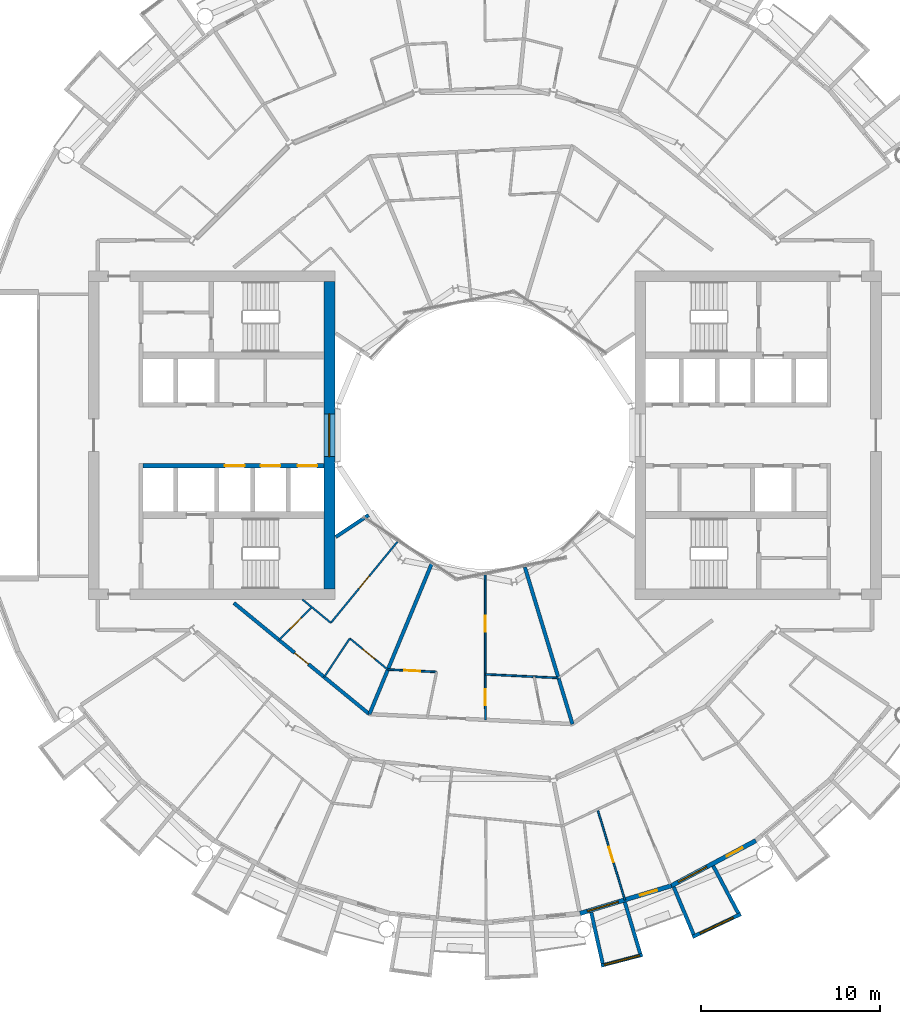
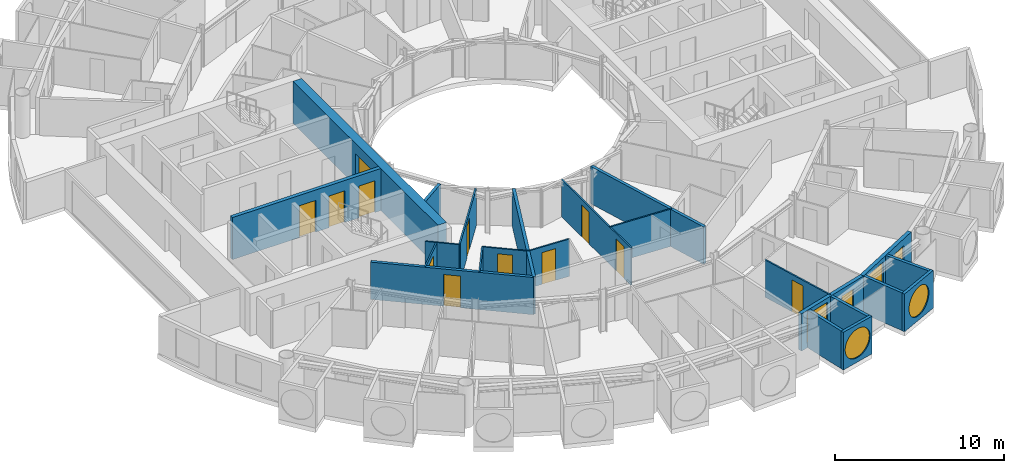
# One storey, part 16 of 27: 23 walls, 13 doors, 5 windows, 18 openings.
"""IFC4 building model written with IfcOpenShell, lengths in metres."""

from ifc_helpers import new_model, si_unit, direction, frame, frame_2d, origin, place, context, subcontext, project, spatial, rectangle, circle, extrude, material, layer, layer_set, type_object, element, fill, save


model = new_model("IFC4")

# Units and contexts
model_context = context("Model", 3, precision=1e-05, world=origin(), true_north=direction((0.0, 1.0)))
body_context = subcontext(model_context, "Body", "Model", "MODEL_VIEW")
ifc_project = project(units=[si_unit("LENGTHUNIT", "METRE"), si_unit("AREAUNIT", "SQUARE_METRE"), si_unit("VOLUMEUNIT", "CUBIC_METRE"), si_unit("PLANEANGLEUNIT", "RADIAN"), si_unit("MASSUNIT", "GRAM", prefix="KILO")], contexts=[model_context])

# Site, building, storey
site_placement = place(None, origin())
site = spatial("IfcSite", under=ifc_project, at=site_placement, CompositionType="ELEMENT")
building_placement = place(site_placement, origin())
building = spatial("IfcBuilding", under=site, at=building_placement, Name="Maasbend Ring Residences", CompositionType="ELEMENT")
storey_placement = place(building_placement, frame((0.0, 0.0, 114.699951171875)))
storey = spatial("IfcBuildingStorey", under=building, at=storey_placement, Name="L32", CompositionType="ELEMENT", Elevation=114.699951171875)

# Wall, openings, doors
ifc_material_1 = material(Name="Concrete C60/75", Category="concrete")
ifc_layer_1 = layer(ifc_material_1, 0.25)
ifc_layer_set_1 = layer_set([ifc_layer_1], Name="Concrete C60/75")
wall_type_1 = type_object("IfcWallType", Name="CORE WALL 250 C60/75", PredefinedType="SHEAR", material=ifc_layer_set_1)
wall_1_placement = place(storey_placement, frame((-9.0, -1.699951171875, 0.0), z_axis=(0.0, 0.0, 1.0), x_axis=(-1.0, 0.0, 0.0)))
wall_1 = element("IfcWall", 1, at=wall_1_placement, inside=storey, type_object=wall_type_1, Name="L32 core W wall SPN", PredefinedType="SHEAR", context=body_context, shape_type="SweptSolid", body=[
    extrude(rectangle(XDim=10.14990234375, YDim=0.25, at=frame_2d((5.074951171875, 0.0))), origin(), (0.0, 0.0, 1.0), 3.050048828125),
])
opening_1_placement = place(wall_1_placement, frame((0.387451171875, 0.0, 0.0)))
opening_1 = element("IfcOpeningElement", 2, at=opening_1_placement, cuts=wall_1, Name="Opening LD-W3201", PredefinedType="OPENING", context=body_context, shape_type="SweptSolid", body=[
    extrude(rectangle(XDim=1.10009765625, YDim=2.300048828125, at=frame_2d((0.550048828125, 1.14990234375))), frame((0.0, 0.135009765625, 0.0), z_axis=(0.0, -1.0, 0.0), x_axis=(1.0, 0.0, 0.0)), (0.0, 0.0, 1.0), 0.27001953125),
])
opening_2_placement = place(wall_1_placement, frame((2.449951171875, 0.0, 0.0)))
opening_2 = element("IfcOpeningElement", 3, at=opening_2_placement, cuts=wall_1, Name="Opening LD-W3202", PredefinedType="OPENING", context=body_context, shape_type="SweptSolid", body=[
    extrude(rectangle(XDim=1.10009765625, YDim=2.300048828125, at=frame_2d((0.550048828125, 1.14990234375))), frame((0.0, 0.135009765625, 0.0), z_axis=(0.0, -1.0, 0.0), x_axis=(1.0, 0.0, 0.0)), (0.0, 0.0, 1.0), 0.27001953125),
])
opening_3_placement = place(wall_1_placement, frame((4.449951171875, 0.0, 0.0)))
opening_3 = element("IfcOpeningElement", 4, at=opening_3_placement, cuts=wall_1, Name="Opening LD-W3203", PredefinedType="OPENING", context=body_context, shape_type="SweptSolid", body=[
    extrude(rectangle(XDim=1.10009765625, YDim=2.300048828125, at=frame_2d((0.550048828125, 1.14990234375))), frame((0.0, 0.135009765625, 0.0), z_axis=(0.0, -1.0, 0.0), x_axis=(1.0, 0.0, 0.0)), (0.0, 0.0, 1.0), 0.27001953125),
])
ifc_material_2 = material(Name="Stainless steel 316", Category="steel")
door_type_1 = type_object("IfcDoorType", Name="LANDING DOOR 1100 X 2300 FD60", OperationType="DOUBLE_DOOR_SLIDING", PredefinedType="DOOR", material=ifc_material_2)
door_1_placement = place(opening_1_placement, origin())
door_1 = element("IfcDoor", 5, at=door_1_placement, inside=storey, type_object=door_type_1, Name="Landing door LR-W1 L32", OperationType="DOUBLE_DOOR_SLIDING", OverallHeight=2.300048828125, OverallWidth=1.10009765625, PredefinedType="DOOR", context=body_context, shape_type="SweptSolid", body=[
    extrude(rectangle(XDim=1.10009765625, YDim=2.300048828125, at=frame_2d((0.550048828125, 1.14990234375))), frame((0.0, 0.02490234375, 0.0), z_axis=(0.0, -1.0, 0.0), x_axis=(1.0, 0.0, 0.0)), (0.0, 0.0, 1.0), 0.050048828125),
])
fill(opening_1, door_1)
door_2_placement = place(opening_2_placement, origin())
door_2 = element("IfcDoor", 6, at=door_2_placement, inside=storey, type_object=door_type_1, Name="Landing door LR-W2 L32", OperationType="DOUBLE_DOOR_SLIDING", OverallHeight=2.300048828125, OverallWidth=1.10009765625, PredefinedType="DOOR", context=body_context, shape_type="SweptSolid", body=[
    extrude(rectangle(XDim=1.10009765625, YDim=2.300048828125, at=frame_2d((0.550048828125, 1.14990234375))), frame((0.0, 0.02490234375, 0.0), z_axis=(0.0, -1.0, 0.0), x_axis=(1.0, 0.0, 0.0)), (0.0, 0.0, 1.0), 0.050048828125),
])
fill(opening_2, door_2)
door_3_placement = place(opening_3_placement, origin())
door_3 = element("IfcDoor", 7, at=door_3_placement, inside=storey, type_object=door_type_1, Name="Landing door LR-W3 L32", OperationType="DOUBLE_DOOR_SLIDING", OverallHeight=2.300048828125, OverallWidth=1.10009765625, PredefinedType="DOOR", context=body_context, shape_type="SweptSolid", body=[
    extrude(rectangle(XDim=1.10009765625, YDim=2.300048828125, at=frame_2d((0.550048828125, 1.14990234375))), frame((0.0, 0.02490234375, 0.0), z_axis=(0.0, -1.0, 0.0), x_axis=(1.0, 0.0, 0.0)), (0.0, 0.0, 1.0), 0.050048828125),
])
fill(opening_3, door_3)

# Wall, opening, window
ifc_material_3 = material(Name="Concrete C60/75", Category="concrete")
ifc_layer_2 = layer(ifc_material_3, 0.60009765625)
ifc_layer_set_2 = layer_set([ifc_layer_2], Name="Concrete C60/75")
wall_type_2 = type_object("IfcWallType", Name="CORE WALL 600 C60/75", PredefinedType="SHEAR", material=ifc_layer_set_2)
wall_2_placement = place(storey_placement, frame((-8.699951171875, 8.60009765625, 0.0), z_axis=(0.0, 0.0, 1.0), x_axis=(0.0, -1.0, 0.0)))
wall_2 = element("IfcWall", 8, at=wall_2_placement, inside=storey, type_object=wall_type_2, Name="L32 core W wall PIN", PredefinedType="SHEAR", context=body_context, shape_type="SweptSolid", body=[
    extrude(rectangle(XDim=17.2001953125, YDim=0.60009765625, at=frame_2d((8.60009765625, 0.0))), origin(), (0.0, 0.0, 1.0), 3.050048828125),
])
opening_4_placement = place(wall_2_placement, frame((7.39990234375, 0.0, 0.10009765625)))
opening_4 = element("IfcOpeningElement", 9, at=opening_4_placement, cuts=wall_2, Name="Opening W-W3201", PredefinedType="OPENING", context=body_context, shape_type="SweptSolid", body=[
    extrude(rectangle(XDim=2.39990234375, YDim=2.199951171875, at=frame_2d((1.199951171875, 1.10009765625))), frame((0.0, 0.31005859375, 0.0), z_axis=(0.0, -1.0, 0.0), x_axis=(1.0, 0.0, 0.0)), (0.0, 0.0, 1.0), 0.6201171875),
])
ifc_material_4 = material(Name="Aluminium frame and clear glass", Category="aluminium")
window_type_1 = type_object("IfcWindowType", Name="FIXED WINDOW 2400 X 2200", PartitioningType="SINGLE_PANEL", PredefinedType="WINDOW", material=ifc_material_4)
window_1_placement = place(opening_4_placement, origin())
window_1 = element("IfcWindow", 10, at=window_1_placement, inside=storey, type_object=window_type_1, Name="Lobby window L32", OverallHeight=2.199951171875, OverallWidth=2.39990234375, PartitioningType="SINGLE_PANEL", PredefinedType="WINDOW", context=body_context, shape_type="SweptSolid", body=[
    extrude(rectangle(XDim=2.39990234375, YDim=2.199951171875, at=frame_2d((1.199951171875, 1.10009765625))), frame((0.0, 0.030029296875, 0.0), z_axis=(0.0, -1.0, 0.0), x_axis=(1.0, 0.0, 0.0)), (0.0, 0.0, 1.0), 0.06005859375),
])
fill(opening_4, window_1)

# Wall, opening, door
ifc_material_5 = material(Name="Concrete C30/37", Category="concrete")
ifc_layer_3 = layer(ifc_material_5, 0.199951171875)
ifc_layer_set_3 = layer_set([ifc_layer_3], Name="Concrete C30/37")
wall_type_3 = type_object("IfcWallType", Name="CORRIDOR WALL 200 CONCRETE", PredefinedType="PARTITIONING", material=ifc_layer_set_3)
wall_3_placement = place(storey_placement, frame((-14.050048828125, -9.39208984375, 0.0), z_axis=(0.0, 0.0, 1.0), x_axis=(0.773074935257, -0.634314704605, 0.0)))
wall_3 = element("IfcWall", 11, at=wall_3_placement, inside=storey, type_object=wall_type_3, Name="U-L32-w015", PredefinedType="PARTITIONING", context=body_context, shape_type="SweptSolid", body=[
    extrude(rectangle(XDim=9.808837890625, YDim=0.199951171875, at=frame_2d((4.904296875, 0.0))), origin(), (0.0, 0.0, 1.0), 2.699951171875),
])
opening_5_placement = place(wall_3_placement, frame((4.402099609375, 0.0, 0.0)))
opening_5 = element("IfcOpeningElement", 12, at=opening_5_placement, cuts=wall_3, Name="Opening D-3254", PredefinedType="OPENING", context=body_context, shape_type="SweptSolid", body=[
    extrude(rectangle(XDim=1.0, YDim=2.300048828125, at=frame_2d((0.5, 1.14990234375))), frame((0.0, 0.10986328125, 0.0), z_axis=(0.0, -1.0, 0.0), x_axis=(1.0, 0.0, 0.0)), (0.0, 0.0, 1.0), 0.219970703125),
])
ifc_material_6 = material(Name="Timber, fire-rated, painted", Category="wood")
door_type_2 = type_object("IfcDoorType", Name="FLAT ENTRANCE DOOR 1000 X 2300 FIRE-RATED", OperationType="NOTDEFINED", PredefinedType="DOOR", material=ifc_material_6)
door_4_placement = place(opening_5_placement, origin())
door_4 = element("IfcDoor", 13, at=door_4_placement, inside=storey, type_object=door_type_2, Name="D-3254", OperationType="SINGLE_SWING_LEFT", OverallHeight=2.300048828125, OverallWidth=1.0, PredefinedType="DOOR", context=body_context, shape_type="SweptSolid", body=[
    extrude(rectangle(XDim=1.0, YDim=2.300048828125, at=frame_2d((0.5, 1.14990234375))), frame((0.0, 0.02490234375, 0.0), z_axis=(0.0, -1.0, 0.0), x_axis=(1.0, 0.0, 0.0)), (0.0, 0.0, 1.0), 0.050048828125),
])
fill(opening_5, door_4)

# Wall, opening, window
ifc_material_7 = material(Name="Pale anodised aluminium panel", Category="aluminium")
ifc_layer_4 = layer(ifc_material_7, 0.199951171875)
ifc_layer_set_4 = layer_set([ifc_layer_4], Name="EW-BOX")
wall_type_4 = type_object("IfcWallType", Name="EW-BOX", PredefinedType="SOLIDWALL", material=ifc_layer_set_4)
wall_4_placement = place(storey_placement, frame((6.514892578125, -29.694091796875, -0.030029296875), z_axis=(0.0, 0.0, 1.0), x_axis=(0.967554339146, 0.252663018266, 0.0)))
wall_4 = element("IfcWall", 14, at=wall_4_placement, inside=storey, type_object=wall_type_4, Name="Box front S13", PredefinedType="SOLIDWALL", context=body_context, shape_type="SweptSolid", body=[
    extrude(rectangle(XDim=2.390625, YDim=0.199951171875, at=frame_2d((1.1953125, 0.0))), origin(), (0.0, 0.0, 1.0), 2.72998046875),
])
opening_6_placement = place(wall_4_placement, frame((0.15576171875, 0.0, 0.330078125)))
opening_6 = element("IfcOpeningElement", 15, at=opening_6_placement, cuts=wall_4, Name="Opening W-RD", PredefinedType="OPENING", context=body_context, shape_type="SweptSolid", body=[
    extrude(circle(Radius=1.0400390625, at=frame_2d((1.0400390625, 1.0400390625))), frame((0.0, 0.10986328125, 0.0), z_axis=(0.0, -1.0, 0.0), x_axis=(1.0, 0.0, 0.0)), (0.0, 0.0, 1.0), 0.219970703125),
])
ifc_material_8 = material(Name="Aluminium and clear glass", Category="aluminium")
window_type_2 = type_object("IfcWindowType", Name="W-RD", PartitioningType="SINGLE_PANEL", PredefinedType="WINDOW", material=ifc_material_8)
window_2_placement = place(opening_6_placement, origin())
window_2 = element("IfcWindow", 16, at=window_2_placement, inside=storey, type_object=window_type_2, Name="Round window S13", OverallHeight=2.080078125, OverallWidth=2.080078125, PartitioningType="SINGLE_PANEL", PredefinedType="WINDOW", context=body_context, shape_type="SweptSolid", body=[
    extrude(circle(Radius=1.0400390625, at=frame_2d((1.0400390625, 1.0400390625))), frame((0.0, 0.030029296875, 0.0), z_axis=(0.0, -1.0, 0.0), x_axis=(1.0, 0.0, 0.0)), (0.0, 0.0, 1.0), 0.06005859375),
])
fill(opening_6, window_2)

# Walls
wall_5_placement = place(storey_placement, frame((5.95703125, -26.715087890625, -0.030029296875), z_axis=(0.0, 0.0, 1.0), x_axis=(0.217857287091, -0.975980636315, 0.0)))
element("IfcWall", 17, at=wall_5_placement, inside=storey, type_object=wall_type_4, Name="Box side wall S13 left", PredefinedType="SOLIDWALL", context=body_context, shape_type="SweptSolid", body=[
    extrude(rectangle(XDim=2.92822265625, YDim=0.199951171875, at=frame_2d((1.464111328125, 0.0))), origin(), (0.0, 0.0, 1.0), 2.72998046875),
])
wall_6_placement = place(storey_placement, frame((7.8369140625, -26.14404296875, -0.030029296875), z_axis=(0.0, 0.0, 1.0), x_axis=(0.287064767992, -0.957911174889, 0.0)))
element("IfcWall", 18, at=wall_6_placement, inside=storey, type_object=wall_type_4, Name="Box side wall S13 right", PredefinedType="SOLIDWALL", context=body_context, shape_type="SweptSolid", body=[
    extrude(rectangle(XDim=3.00634765625, YDim=0.199951171875, at=frame_2d((1.503173828125, 0.0))), origin(), (0.0, 0.0, 1.0), 2.72998046875),
])

# Wall, opening, window
wall_7_placement = place(storey_placement, frame((11.62890625, -28.087890625, -0.030029296875), z_axis=(0.0, 0.0, 1.0), x_axis=(0.904000060331, 0.427532327342, 0.0)))
wall_7 = element("IfcWall", 19, at=wall_7_placement, inside=storey, type_object=wall_type_4, Name="Box front S15", PredefinedType="SOLIDWALL", context=body_context, shape_type="SweptSolid", body=[
    extrude(rectangle(XDim=2.993408203125, YDim=0.199951171875, at=frame_2d((1.49658203125, 0.0))), origin(), (0.0, 0.0, 1.0), 2.72998046875),
])
opening_7_placement = place(wall_7_placement, frame((0.45654296875, 0.0, 0.330078125)))
opening_7 = element("IfcOpeningElement", 20, at=opening_7_placement, cuts=wall_7, Name="Opening W-RD", PredefinedType="OPENING", context=body_context, shape_type="SweptSolid", body=[
    extrude(circle(Radius=1.0400390625, at=frame_2d((1.0400390625, 1.0400390625))), frame((0.0, 0.10986328125, 0.0), z_axis=(0.0, -1.0, 0.0), x_axis=(1.0, 0.0, 0.0)), (0.0, 0.0, 1.0), 0.219970703125),
])
window_3_placement = place(opening_7_placement, origin())
window_3 = element("IfcWindow", 21, at=window_3_placement, inside=storey, type_object=window_type_2, Name="Round window S15", OverallHeight=2.080078125, OverallWidth=2.080078125, PartitioningType="SINGLE_PANEL", PredefinedType="WINDOW", context=body_context, shape_type="SweptSolid", body=[
    extrude(circle(Radius=1.0400390625, at=frame_2d((1.0400390625, 1.0400390625))), frame((0.0, 0.030029296875, 0.0), z_axis=(0.0, -1.0, 0.0), x_axis=(1.0, 0.0, 0.0)), (0.0, 0.0, 1.0), 0.06005859375),
])
fill(opening_7, window_3)

# Walls
wall_8_placement = place(storey_placement, frame((10.574951171875, -25.294921875, -0.030029296875), z_axis=(0.0, 0.0, 1.0), x_axis=(0.385697364644, -0.922625353492, 0.0)))
element("IfcWall", 22, at=wall_8_placement, inside=storey, type_object=wall_type_4, Name="Box side wall S15 left", PredefinedType="SOLIDWALL", context=body_context, shape_type="SweptSolid", body=[
    extrude(rectangle(XDim=2.88330078125, YDim=0.199951171875, at=frame_2d((1.441650390625, 0.0))), origin(), (0.0, 0.0, 1.0), 2.72998046875),
])
wall_9_placement = place(storey_placement, frame((12.787109375, -24.113037109375, -0.030029296875), z_axis=(0.0, 0.0, 1.0), x_axis=(0.468365282436, -0.883534924159, 0.0)))
element("IfcWall", 23, at=wall_9_placement, inside=storey, type_object=wall_type_4, Name="Box side wall S15 right", PredefinedType="SOLIDWALL", context=body_context, shape_type="SweptSolid", body=[
    extrude(rectangle(XDim=3.006103515625, YDim=0.199951171875, at=frame_2d((1.5029296875, 0.0))), origin(), (0.0, 0.0, 1.0), 2.72998046875),
])

# Wall, openings, door, window
ifc_material_9 = material(Name="Aluminium clad insulated panel", Category="aluminium")
ifc_layer_5 = layer(ifc_material_9, 0.25)
ifc_layer_set_5 = layer_set([ifc_layer_5], Name="EW-GL")
wall_type_5 = type_object("IfcWallType", Name="EW-GL", PredefinedType="SOLIDWALL", material=ifc_layer_set_5)
wall_10_placement = place(storey_placement, frame((5.325927734375, -26.77490234375, 0.0), z_axis=(0.0, 0.0, 1.0), x_axis=(0.956965678721, 0.290201119486, 0.0)))
wall_10 = element("IfcWall", 24, at=wall_10_placement, inside=storey, type_object=wall_type_5, Name="External wall S07", PredefinedType="SOLIDWALL", context=body_context, shape_type="SweptSolid", body=[
    extrude(rectangle(XDim=5.351318359375, YDim=0.25, at=frame_2d((2.67578125, 0.0))), origin(), (0.0, 0.0, 1.0), 2.699951171875),
])
opening_8_placement = place(wall_10_placement, frame((0.441162109375, 0.0, 0.300048828125)))
opening_8 = element("IfcOpeningElement", 25, at=opening_8_placement, cuts=wall_10, Name="Opening W-BX", PredefinedType="OPENING", context=body_context, shape_type="SweptSolid", body=[
    extrude(rectangle(XDim=1.800048828125, YDim=2.10009765625, at=frame_2d((0.89990234375, 1.050048828125))), frame((0.0, 0.135009765625, 0.0), z_axis=(0.0, -1.0, 0.0), x_axis=(1.0, 0.0, 0.0)), (0.0, 0.0, 1.0), 0.27001953125),
])
opening_9_placement = place(wall_10_placement, frame((3.510498046875, 0.0, 0.0)))
opening_9 = element("IfcOpeningElement", 26, at=opening_9_placement, cuts=wall_10, Name="Opening D-LG", PredefinedType="OPENING", context=body_context, shape_type="SweptSolid", body=[
    extrude(rectangle(XDim=1.0, YDim=2.199951171875, at=frame_2d((0.5, 1.10009765625))), frame((0.0, 0.135009765625, 0.0), z_axis=(0.0, -1.0, 0.0), x_axis=(1.0, 0.0, 0.0)), (0.0, 0.0, 1.0), 0.27001953125),
])
ifc_material_10 = material(Name="Aluminium and clear glass", Category="aluminium")
door_type_3 = type_object("IfcDoorType", Name="D-LG", OperationType="SINGLE_SWING_LEFT", PredefinedType="DOOR", material=ifc_material_10)
door_5_placement = place(opening_9_placement, origin())
door_5 = element("IfcDoor", 27, at=door_5_placement, inside=storey, type_object=door_type_3, Name="Loggia door S14", OperationType="SINGLE_SWING_LEFT", OverallHeight=2.199951171875, OverallWidth=1.0, PredefinedType="DOOR", context=body_context, shape_type="SweptSolid", body=[
    extrude(rectangle(XDim=1.0, YDim=2.199951171875, at=frame_2d((0.5, 1.10009765625))), frame((0.0, 0.02490234375, 0.0), z_axis=(0.0, -1.0, 0.0), x_axis=(1.0, 0.0, 0.0)), (0.0, 0.0, 1.0), 0.050048828125),
])
fill(opening_9, door_5)
ifc_material_11 = material(Name="Aluminium and clear glass", Category="aluminium")
window_type_3 = type_object("IfcWindowType", Name="W-BX", PartitioningType="DOUBLE_PANEL_VERTICAL", PredefinedType="WINDOW", material=ifc_material_11)
window_4_placement = place(opening_8_placement, origin())
window_4 = element("IfcWindow", 28, at=window_4_placement, inside=storey, type_object=window_type_3, Name="Window S13 room to box", OverallHeight=2.10009765625, OverallWidth=1.800048828125, PartitioningType="SINGLE_PANEL", PredefinedType="WINDOW", context=body_context, shape_type="SweptSolid", body=[
    extrude(rectangle(XDim=1.800048828125, YDim=2.10009765625, at=frame_2d((0.89990234375, 1.050048828125))), frame((0.0, 0.030029296875, 0.0), z_axis=(0.0, -1.0, 0.0), x_axis=(1.0, 0.0, 0.0)), (0.0, 0.0, 1.0), 0.06005859375),
])
fill(opening_8, window_4)

wall_11_placement = place(storey_placement, frame((10.447021484375, -25.221923828125, 0.0), z_axis=(0.0, 0.0, 1.0), x_axis=(0.881915646801, 0.471407246368, 0.0)))
wall_11 = element("IfcWall", 29, at=wall_11_placement, inside=storey, type_object=wall_type_5, Name="External wall S08", PredefinedType="SOLIDWALL", context=body_context, shape_type="SweptSolid", body=[
    extrude(rectangle(XDim=5.35205078125, YDim=0.25, at=frame_2d((2.676025390625, 0.0))), origin(), (0.0, 0.0, 1.0), 2.699951171875),
])
opening_10_placement = place(wall_11_placement, frame((0.441162109375, 0.0, 0.300048828125)))
opening_10 = element("IfcOpeningElement", 30, at=opening_10_placement, cuts=wall_11, Name="Opening W-BX", PredefinedType="OPENING", context=body_context, shape_type="SweptSolid", body=[
    extrude(rectangle(XDim=1.800048828125, YDim=2.10009765625, at=frame_2d((0.89990234375, 1.050048828125))), frame((0.0, 0.135009765625, 0.0), z_axis=(0.0, -1.0, 0.0), x_axis=(1.0, 0.0, 0.0)), (0.0, 0.0, 1.0), 0.27001953125),
])
opening_11_placement = place(wall_11_placement, frame((3.510498046875, 0.0, 0.0)))
opening_11 = element("IfcOpeningElement", 31, at=opening_11_placement, cuts=wall_11, Name="Opening D-LG", PredefinedType="OPENING", context=body_context, shape_type="SweptSolid", body=[
    extrude(rectangle(XDim=1.0, YDim=2.199951171875, at=frame_2d((0.5, 1.10009765625))), frame((0.0, 0.135009765625, 0.0), z_axis=(0.0, -1.0, 0.0), x_axis=(1.0, 0.0, 0.0)), (0.0, 0.0, 1.0), 0.27001953125),
])
door_6_placement = place(opening_11_placement, origin())
door_6 = element("IfcDoor", 32, at=door_6_placement, inside=storey, type_object=door_type_3, Name="Loggia door S16", OperationType="SINGLE_SWING_LEFT", OverallHeight=2.199951171875, OverallWidth=1.0, PredefinedType="DOOR", context=body_context, shape_type="SweptSolid", body=[
    extrude(rectangle(XDim=1.0, YDim=2.199951171875, at=frame_2d((0.5, 1.10009765625))), frame((0.0, 0.02490234375, 0.0), z_axis=(0.0, -1.0, 0.0), x_axis=(1.0, 0.0, 0.0)), (0.0, 0.0, 1.0), 0.050048828125),
])
fill(opening_11, door_6)
window_5_placement = place(opening_10_placement, origin())
window_5 = element("IfcWindow", 33, at=window_5_placement, inside=storey, type_object=window_type_3, Name="Window S15 room to box", OverallHeight=2.10009765625, OverallWidth=1.800048828125, PartitioningType="SINGLE_PANEL", PredefinedType="WINDOW", context=body_context, shape_type="SweptSolid", body=[
    extrude(rectangle(XDim=1.800048828125, YDim=2.10009765625, at=frame_2d((0.89990234375, 1.050048828125))), frame((0.0, 0.030029296875, 0.0), z_axis=(0.0, -1.0, 0.0), x_axis=(1.0, 0.0, 0.0)), (0.0, 0.0, 1.0), 0.06005859375),
])
fill(opening_10, window_5)

# Wall
ifc_material_12 = material(Name="Gypsum board on steel studs", Category="steel")
ifc_layer_6 = layer(ifc_material_12, 0.10009765625)
ifc_layer_set_6 = layer_set([ifc_layer_6], Name="PARTITION 100 GYPSUM")
wall_type_6 = type_object("IfcWallType", Name="PARTITION 100 GYPSUM", PredefinedType="PARTITIONING", material=ifc_layer_set_6)
wall_12_placement = place(storey_placement, frame((-10.212890625, -9.197021484375, 0.0), z_axis=(0.0, 0.0, 1.0), x_axis=(0.772817828959, -0.634627925042, 0.0)))
element("IfcWall", 34, at=wall_12_placement, inside=storey, type_object=wall_type_6, Name="U-L32-w018", PredefinedType="PARTITIONING", context=body_context, shape_type="SweptSolid", body=[
    extrude(rectangle(XDim=2.0546875, YDim=0.10009765625, at=frame_2d((1.02734375, 0.0))), origin(), (0.0, 0.0, 1.0), 2.699951171875),
])

# Wall, opening, door
wall_13_placement = place(storey_placement, frame((-7.56298828125, -11.373046875, 0.0), z_axis=(0.0, 0.0, 1.0), x_axis=(0.772732480827, -0.634731843439, 0.0)))
wall_13 = element("IfcWall", 35, at=wall_13_placement, inside=storey, type_object=wall_type_6, Name="U-L32-w019", PredefinedType="PARTITIONING", context=body_context, shape_type="SweptSolid", body=[
    extrude(rectangle(XDim=2.74755859375, YDim=0.10009765625, at=frame_2d((1.373779296875, 0.0))), origin(), (0.0, 0.0, 1.0), 2.699951171875),
])
opening_12_placement = place(wall_13_placement, frame((0.929931640625, 0.0, 0.0)))
opening_12 = element("IfcOpeningElement", 36, at=opening_12_placement, cuts=wall_13, Name="Opening D-3255", PredefinedType="OPENING", context=body_context, shape_type="SweptSolid", body=[
    extrude(rectangle(XDim=0.89990234375, YDim=2.300048828125, at=frame_2d((0.449951171875, 1.14990234375))), frame((0.0, 0.06005859375, 0.0), z_axis=(0.0, -1.0, 0.0), x_axis=(1.0, 0.0, 0.0)), (0.0, 0.0, 1.0), 0.1201171875),
])
ifc_material_13 = material(Name="Timber, painted", Category="wood")
door_type_4 = type_object("IfcDoorType", Name="INTERNAL DOOR 900 X 2300", OperationType="NOTDEFINED", PredefinedType="DOOR", material=ifc_material_13)
door_7_placement = place(opening_12_placement, origin())
door_7 = element("IfcDoor", 37, at=door_7_placement, inside=storey, type_object=door_type_4, Name="D-3255", OperationType="SINGLE_SWING_RIGHT", OverallHeight=2.300048828125, OverallWidth=0.89990234375, PredefinedType="DOOR", context=body_context, shape_type="SweptSolid", body=[
    extrude(rectangle(XDim=0.89990234375, YDim=2.300048828125, at=frame_2d((0.449951171875, 1.14990234375))), frame((0.0, 0.02490234375, 0.0), z_axis=(0.0, -1.0, 0.0), x_axis=(1.0, 0.0, 0.0)), (0.0, 0.0, 1.0), 0.050048828125),
])
fill(opening_12, door_7)

wall_14_placement = place(storey_placement, frame((-5.43408203125, -13.118896484375, 0.0), z_axis=(0.0, 0.0, 1.0), x_axis=(0.998796928508, -0.049037695739, 0.0)))
wall_14 = element("IfcWall", 38, at=wall_14_placement, inside=storey, type_object=wall_type_6, Name="U-L32-w020", PredefinedType="PARTITIONING", context=body_context, shape_type="SweptSolid", body=[
    extrude(rectangle(XDim=2.733154296875, YDim=0.10009765625, at=frame_2d((1.36669921875, 0.0))), origin(), (0.0, 0.0, 1.0), 2.699951171875),
])
opening_13_placement = place(wall_14_placement, frame((0.9169921875, 0.0, 0.0)))
opening_13 = element("IfcOpeningElement", 39, at=opening_13_placement, cuts=wall_14, Name="Opening D-3259", PredefinedType="OPENING", context=body_context, shape_type="SweptSolid", body=[
    extrude(rectangle(XDim=0.89990234375, YDim=2.300048828125, at=frame_2d((0.449951171875, 1.14990234375))), frame((0.0, 0.06005859375, 0.0), z_axis=(0.0, -1.0, 0.0), x_axis=(1.0, 0.0, 0.0)), (0.0, 0.0, 1.0), 0.1201171875),
])
door_8_placement = place(opening_13_placement, origin())
door_8 = element("IfcDoor", 40, at=door_8_placement, inside=storey, type_object=door_type_4, Name="D-3259", OperationType="SINGLE_SWING_LEFT", OverallHeight=2.300048828125, OverallWidth=0.89990234375, PredefinedType="DOOR", context=body_context, shape_type="SweptSolid", body=[
    extrude(rectangle(XDim=0.89990234375, YDim=2.300048828125, at=frame_2d((0.449951171875, 1.14990234375))), frame((0.0, 0.02490234375, 0.0), z_axis=(0.0, -1.0, 0.0), x_axis=(1.0, 0.0, 0.0)), (0.0, 0.0, 1.0), 0.050048828125),
])
fill(opening_13, door_8)

# Wall
wall_15_placement = place(storey_placement, frame((0.027099609375, -13.386962890625, 0.0), z_axis=(0.0, 0.0, 1.0), x_axis=(0.998789681748, -0.049185075323, 0.0)))
element("IfcWall", 41, at=wall_15_placement, inside=storey, type_object=wall_type_6, Name="U-L32-w021", PredefinedType="PARTITIONING", context=body_context, shape_type="SweptSolid", body=[
    extrude(rectangle(XDim=4.10986328125, YDim=0.10009765625, at=frame_2d((2.054931640625, 0.0))), origin(), (0.0, 0.0, 1.0), 2.699951171875),
])

# Wall, opening, door
wall_16_placement = place(storey_placement, frame((-11.52392578125, -11.464111328125, 0.0), z_axis=(0.0, 0.0, 1.0), x_axis=(0.708796844581, 0.705412668665, 0.0)))
wall_16 = element("IfcWall", 42, at=wall_16_placement, inside=storey, type_object=wall_type_6, Name="U-L32-w040", PredefinedType="PARTITIONING", context=body_context, shape_type="SweptSolid", body=[
    extrude(rectangle(XDim=2.59716796875, YDim=0.10009765625, at=frame_2d((1.298583984375, 0.0))), origin(), (0.0, 0.0, 1.0), 2.699951171875),
])
opening_14_placement = place(wall_16_placement, frame((0.84912109375, 0.0, 0.0)))
opening_14 = element("IfcOpeningElement", 43, at=opening_14_placement, cuts=wall_16, Name="Opening D-3256", PredefinedType="OPENING", context=body_context, shape_type="SweptSolid", body=[
    extrude(rectangle(XDim=0.89990234375, YDim=2.300048828125, at=frame_2d((0.449951171875, 1.14990234375))), frame((0.0, 0.06005859375, 0.0), z_axis=(0.0, -1.0, 0.0), x_axis=(1.0, 0.0, 0.0)), (0.0, 0.0, 1.0), 0.1201171875),
])
door_9_placement = place(opening_14_placement, origin())
door_9 = element("IfcDoor", 44, at=door_9_placement, inside=storey, type_object=door_type_4, Name="D-3256", OperationType="SINGLE_SWING_RIGHT", OverallHeight=2.300048828125, OverallWidth=0.89990234375, PredefinedType="DOOR", context=body_context, shape_type="SweptSolid", body=[
    extrude(rectangle(XDim=0.89990234375, YDim=2.300048828125, at=frame_2d((0.449951171875, 1.14990234375))), frame((0.0, 0.02490234375, 0.0), z_axis=(0.0, -1.0, 0.0), x_axis=(1.0, 0.0, 0.0)), (0.0, 0.0, 1.0), 0.050048828125),
])
fill(opening_14, door_9)

# Wall
wall_17_placement = place(storey_placement, frame((-8.99609375, -13.5390625, 0.0), z_axis=(0.0, 0.0, 1.0), x_axis=(0.553615197403, 0.83277260594, 0.0)))
element("IfcWall", 45, at=wall_17_placement, inside=storey, type_object=wall_type_6, Name="U-L32-w044", PredefinedType="PARTITIONING", context=body_context, shape_type="SweptSolid", body=[
    extrude(rectangle(XDim=2.597412109375, YDim=0.10009765625, at=frame_2d((1.298828125, 0.0))), origin(), (0.0, 0.0, 1.0), 2.699951171875),
])

# Wall, opening, door
wall_18_placement = place(storey_placement, frame((-8.6201171875, -10.50390625, 0.0), z_axis=(0.0, 0.0, 1.0), x_axis=(0.634539754242, 0.772890225249, 0.0)))
wall_18 = element("IfcWall", 46, at=wall_18_placement, inside=storey, type_object=wall_type_6, Name="U-L32-w046", PredefinedType="PARTITIONING", context=body_context, shape_type="SweptSolid", body=[
    extrude(rectangle(XDim=5.867431640625, YDim=0.10009765625, at=frame_2d((2.93359375, 0.0))), origin(), (0.0, 0.0, 1.0), 2.699951171875),
])
opening_15_placement = place(wall_18_placement, frame((2.48388671875, 0.0, 0.0)))
opening_15 = element("IfcOpeningElement", 47, at=opening_15_placement, cuts=wall_18, Name="Opening D-3257", PredefinedType="OPENING", context=body_context, shape_type="SweptSolid", body=[
    extrude(rectangle(XDim=0.89990234375, YDim=2.300048828125, at=frame_2d((0.449951171875, 1.14990234375))), frame((0.0, 0.06005859375, 0.0), z_axis=(0.0, -1.0, 0.0), x_axis=(1.0, 0.0, 0.0)), (0.0, 0.0, 1.0), 0.1201171875),
])
door_10_placement = place(opening_15_placement, origin())
door_10 = element("IfcDoor", 48, at=door_10_placement, inside=storey, type_object=door_type_4, Name="D-3257", OperationType="SINGLE_SWING_RIGHT", OverallHeight=2.300048828125, OverallWidth=0.89990234375, PredefinedType="DOOR", context=body_context, shape_type="SweptSolid", body=[
    extrude(rectangle(XDim=0.89990234375, YDim=2.300048828125, at=frame_2d((0.449951171875, 1.14990234375))), frame((0.0, 0.02490234375, 0.0), z_axis=(0.0, -1.0, 0.0), x_axis=(1.0, 0.0, 0.0)), (0.0, 0.0, 1.0), 0.050048828125),
])
fill(opening_15, door_10)

# Wall, openings, doors
wall_19_placement = place(storey_placement, frame((0.031982421875, -15.93310546875, 0.0), z_axis=(0.0, 0.0, 1.0), x_axis=(-0.0019321625, 0.999998133372, 0.0)))
wall_19 = element("IfcWall", 49, at=wall_19_placement, inside=storey, type_object=wall_type_6, Name="U-L32-w058", PredefinedType="PARTITIONING", context=body_context, shape_type="SweptSolid", body=[
    extrude(rectangle(XDim=8.213134765625, YDim=0.10009765625, at=frame_2d((4.1064453125, 0.0))), origin(), (0.0, 0.0, 1.0), 2.699951171875),
])
opening_16_placement = place(wall_19_placement, frame((0.822998046875, 0.0, 0.0)))
opening_16 = element("IfcOpeningElement", 50, at=opening_16_placement, cuts=wall_19, Name="Opening D-3260", PredefinedType="OPENING", context=body_context, shape_type="SweptSolid", body=[
    extrude(rectangle(XDim=0.89990234375, YDim=2.300048828125, at=frame_2d((0.449951171875, 1.14990234375))), frame((0.0, 0.06005859375, 0.0), z_axis=(0.0, -1.0, 0.0), x_axis=(1.0, 0.0, 0.0)), (0.0, 0.0, 1.0), 0.1201171875),
])
opening_17_placement = place(wall_19_placement, frame((4.929931640625, 0.0, 0.0)))
opening_17 = element("IfcOpeningElement", 51, at=opening_17_placement, cuts=wall_19, Name="Opening D-3262", PredefinedType="OPENING", context=body_context, shape_type="SweptSolid", body=[
    extrude(rectangle(XDim=0.89990234375, YDim=2.300048828125, at=frame_2d((0.449951171875, 1.14990234375))), frame((0.0, 0.06005859375, 0.0), z_axis=(0.0, -1.0, 0.0), x_axis=(1.0, 0.0, 0.0)), (0.0, 0.0, 1.0), 0.1201171875),
])
door_11_placement = place(opening_16_placement, origin())
door_11 = element("IfcDoor", 52, at=door_11_placement, inside=storey, type_object=door_type_4, Name="D-3260", OperationType="SINGLE_SWING_LEFT", OverallHeight=2.300048828125, OverallWidth=0.89990234375, PredefinedType="DOOR", context=body_context, shape_type="SweptSolid", body=[
    extrude(rectangle(XDim=0.89990234375, YDim=2.300048828125, at=frame_2d((0.449951171875, 1.14990234375))), frame((0.0, 0.02490234375, 0.0), z_axis=(0.0, -1.0, 0.0), x_axis=(1.0, 0.0, 0.0)), (0.0, 0.0, 1.0), 0.050048828125),
])
fill(opening_16, door_11)
door_12_placement = place(opening_17_placement, origin())
door_12 = element("IfcDoor", 53, at=door_12_placement, inside=storey, type_object=door_type_4, Name="D-3262", OperationType="SINGLE_SWING_RIGHT", OverallHeight=2.300048828125, OverallWidth=0.89990234375, PredefinedType="DOOR", context=body_context, shape_type="SweptSolid", body=[
    extrude(rectangle(XDim=0.89990234375, YDim=2.300048828125, at=frame_2d((0.449951171875, 1.14990234375))), frame((0.0, 0.02490234375, 0.0), z_axis=(0.0, -1.0, 0.0), x_axis=(1.0, 0.0, 0.0)), (0.0, 0.0, 1.0), 0.050048828125),
])
fill(opening_17, door_12)

# Wall, opening, door
wall_20_placement = place(storey_placement, frame((6.31005859375, -20.945068359375, 0.0), z_axis=(0.0, 0.0, 1.0), x_axis=(0.288484435279, -0.957484585047, 0.0)))
wall_20 = element("IfcWall", 54, at=wall_20_placement, inside=storey, type_object=wall_type_6, Name="U-L32-w070", PredefinedType="PARTITIONING", context=body_context, shape_type="SweptSolid", body=[
    extrude(rectangle(XDim=5.30029296875, YDim=0.10009765625, at=frame_2d((2.650146484375, 0.0))), origin(), (0.0, 0.0, 1.0), 2.699951171875),
])
opening_18_placement = place(wall_20_placement, frame((2.199951171875, 0.0, 0.0)))
opening_18 = element("IfcOpeningElement", 55, at=opening_18_placement, cuts=wall_20, Name="Opening D-3250", PredefinedType="OPENING", context=body_context, shape_type="SweptSolid", body=[
    extrude(rectangle(XDim=0.89990234375, YDim=2.300048828125, at=frame_2d((0.449951171875, 1.14990234375))), frame((0.0, 0.06005859375, 0.0), z_axis=(0.0, -1.0, 0.0), x_axis=(1.0, 0.0, 0.0)), (0.0, 0.0, 1.0), 0.1201171875),
])
door_13_placement = place(opening_18_placement, origin())
door_13 = element("IfcDoor", 56, at=door_13_placement, inside=storey, type_object=door_type_4, Name="D-3250", OperationType="SINGLE_SWING_RIGHT", OverallHeight=2.300048828125, OverallWidth=0.89990234375, PredefinedType="DOOR", context=body_context, shape_type="SweptSolid", body=[
    extrude(rectangle(XDim=0.89990234375, YDim=2.300048828125, at=frame_2d((0.449951171875, 1.14990234375))), frame((0.0, 0.02490234375, 0.0), z_axis=(0.0, -1.0, 0.0), x_axis=(1.0, 0.0, 0.0)), (0.0, 0.0, 1.0), 0.050048828125),
])
fill(opening_18, door_13)

# Walls
ifc_material_14 = material(Name="Concrete C30/37", Category="concrete")
ifc_layer_7 = layer(ifc_material_14, 0.199951171875)
ifc_layer_set_7 = layer_set([ifc_layer_7], Name="Concrete C30/37")
wall_type_7 = type_object("IfcWallType", Name="PARTY WALL 200 CONCRETE", PredefinedType="PARTITIONING", material=ifc_layer_set_7)
wall_21_placement = place(storey_placement, frame((-6.512939453125, -4.471923828125, 0.0), z_axis=(0.0, 0.0, 1.0), x_axis=(-0.831333375071, -0.555774072347, 0.0)))
element("IfcWall", 57, at=wall_21_placement, inside=storey, type_object=wall_type_7, Name="U-L32-w026", PredefinedType="PARTITIONING", context=body_context, shape_type="SweptSolid", body=[
    extrude(rectangle(XDim=2.20263671875, YDim=0.199951171875, at=frame_2d((1.101318359375, 0.0))), origin(), (0.0, 0.0, 1.0), 2.699951171875),
])
wall_22_placement = place(storey_placement, frame((-6.4619140625, -15.615966796875, 0.0), z_axis=(0.0, 0.0, 1.0), x_axis=(0.382556139466, 0.923932248683, 0.0)))
element("IfcWall", 58, at=wall_22_placement, inside=storey, type_object=wall_type_7, Name="U-L32-w049", PredefinedType="PARTITIONING", context=body_context, shape_type="SweptSolid", body=[
    extrude(rectangle(XDim=9.18017578125, YDim=0.199951171875, at=frame_2d((4.590087890625, 0.0))), origin(), (0.0, 0.0, 1.0), 2.699951171875),
])
wall_23_placement = place(storey_placement, frame((2.239990234375, -7.387939453125, 0.0), z_axis=(0.0, 0.0, 1.0), x_axis=(0.290420725025, -0.956899055531, 0.0)))
element("IfcWall", 59, at=wall_23_placement, inside=storey, type_object=wall_type_7, Name="U-L32-w063", PredefinedType="PARTITIONING", context=body_context, shape_type="SweptSolid", body=[
    extrude(rectangle(XDim=9.179931640625, YDim=0.199951171875, at=frame_2d((4.58984375, 0.0))), origin(), (0.0, 0.0, 1.0), 2.699951171875),
])

save(model, "model.ifc")
